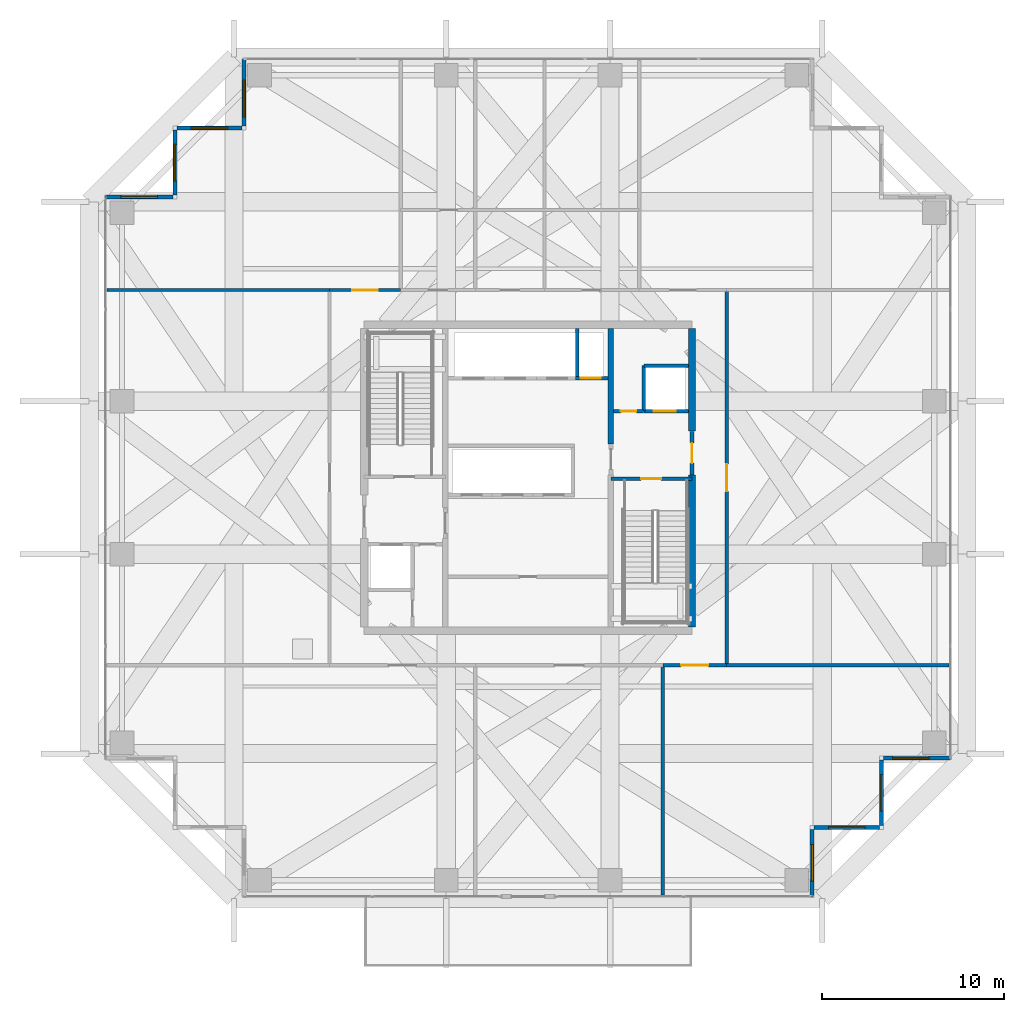
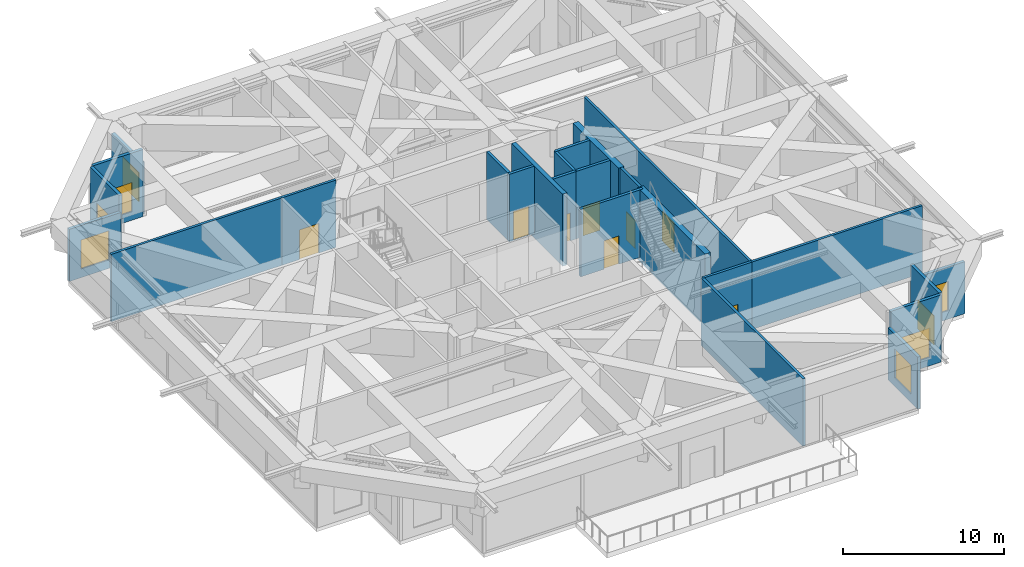
# One storey, part 32 of 38: 25 walls, 8 doors, 8 windows, 16 openings.
"""IFC4 building model written with IfcOpenShell, lengths in metres."""

from ifc_helpers import new_model, si_unit, direction, frame, frame_2d, origin, place, context, subcontext, project, spatial, rectangle, extrude, source, transform, mapped, material, layer, layer_set, type_object, element, fill, save


model = new_model("IFC4")

# Units and contexts
model_context = context("Model", 3, precision=1e-05, world=origin(), true_north=direction((0.0, 1.0)))
body_context = subcontext(model_context, "Body", "Model", "MODEL_VIEW")
ifc_project = project(units=[si_unit("LENGTHUNIT", "METRE"), si_unit("AREAUNIT", "SQUARE_METRE"), si_unit("VOLUMEUNIT", "CUBIC_METRE"), si_unit("PLANEANGLEUNIT", "RADIAN"), si_unit("MASSUNIT", "GRAM", prefix="KILO")], contexts=[model_context])

# Site, building, storey
site_placement = place(None, origin())
site = spatial("IfcSite", under=ifc_project, at=site_placement, CompositionType="ELEMENT")
building_placement = place(site_placement, origin())
building = spatial("IfcBuilding", under=site, at=building_placement, Name="Serunith Strait Residences", CompositionType="ELEMENT")
storey_placement = place(building_placement, frame((0.0, 0.0, 204.89990234375)))
storey = spatial("IfcBuildingStorey", under=building, at=storey_placement, Name="L51", CompositionType="ELEMENT", Elevation=204.89990234375)

# Wall, opening, window
ifc_material_1 = material(Name="Pale-Champagne Aluminium Insulated Panel", Category="aluminium")
ifc_layer_1 = layer(ifc_material_1, 0.219970703125, Name="Pale-Champagne Aluminium Insulated Panel")
ifc_layer_set_1 = layer_set([ifc_layer_1], Name="Pale-Champagne Aluminium Insulated Panel")
wall_type_1 = type_object("IfcWallType", Name="EW-ALUM-220", PredefinedType="ELEMENTEDWALL", material=ifc_layer_set_1)
wall_1_placement = place(storey_placement, frame((48.0, 2.199951171875, 0.0), z_axis=(0.0, 0.0, 1.0), x_axis=(0.0, 1.0, 0.0)))
wall_1 = element("IfcWall", 1, at=wall_1_placement, inside=storey, type_object=wall_type_1, Name="L51 Girih Serrated Corner Wall 02", PredefinedType="ELEMENTEDWALL", context=body_context, shape_type="SweptSolid", body=[
    extrude(rectangle(XDim=3.68994140625, YDim=0.219970703125, at=frame_2d((1.844970703125, 0.0))), origin(), (0.0, 0.0, 1.0), 3.945068359375),
])
opening_1_placement = place(wall_1_placement, frame((0.844970703125, 0.0, 0.64990234375)))
opening_1 = element("IfcOpeningElement", 2, at=opening_1_placement, cuts=wall_1, Name="Opening W-04", PredefinedType="OPENING", context=body_context, shape_type="SweptSolid", body=[
    extrude(rectangle(XDim=2.0, YDim=2.199951171875, at=frame_2d((1.0, 1.10009765625))), frame((0.0, 0.1201171875, 0.0), z_axis=(0.0, -1.0, 0.0), x_axis=(1.0, 0.0, 0.0)), (0.0, 0.0, 1.0), 0.239990234375),
])
ifc_material_2 = material(Name="Ceramic-Fritted Operable Aluminium Window Glass", Category="aluminium")
window_type = type_object("IfcWindowType", Name="WIN-C4", PartitioningType="TRIPLE_PANEL_VERTICAL", PredefinedType="WINDOW", material=ifc_material_2)
shared_shape_1 = source(origin(), body_context, "Body", "SweptSolid", [
    extrude(rectangle(XDim=2.0, YDim=2.199951171875, at=frame_2d((1.0, 1.10009765625))), frame((0.0, 0.030029296875, 0.0), z_axis=(0.0, -1.0, 0.0), x_axis=(1.0, 0.0, 0.0)), (0.0, 0.0, 1.0), 0.06005859375),
])
window_1_placement = place(opening_1_placement, origin())
window_1 = element("IfcWindow", 3, at=window_1_placement, inside=storey, type_object=window_type, Name="L51 Corner Operable Fritted Window 02", OverallHeight=2.199951171875, OverallWidth=2.0, PartitioningType="SINGLE_PANEL", PredefinedType="WINDOW", context=body_context, shape_type="MappedRepresentation", body=[
    mapped(shared_shape_1, transform((0.0, 0.0, 0.0), scale=1.0)),
])
fill(opening_1, window_1)

wall_2_placement = place(storey_placement, frame((48.110107421875, 6.0, 0.0), z_axis=(0.0, 0.0, 1.0), x_axis=(1.0, 0.0, 0.0)))
wall_2 = element("IfcWall", 4, at=wall_2_placement, inside=storey, type_object=wall_type_1, Name="L51 Girih Serrated Corner Wall 03", PredefinedType="ELEMENTEDWALL", context=body_context, shape_type="SweptSolid", body=[
    extrude(rectangle(XDim=3.579833984375, YDim=0.219970703125, at=frame_2d((1.7900390625, 0.0))), origin(), (0.0, 0.0, 1.0), 5.09521484375),
])
opening_2_placement = place(wall_2_placement, frame((0.7900390625, 0.0, 0.64990234375)))
opening_2 = element("IfcOpeningElement", 5, at=opening_2_placement, cuts=wall_2, Name="Opening W-04", PredefinedType="OPENING", context=body_context, shape_type="SweptSolid", body=[
    extrude(rectangle(XDim=2.0, YDim=2.199951171875, at=frame_2d((1.0, 1.10009765625))), frame((0.0, 0.1201171875, 0.0), z_axis=(0.0, -1.0, 0.0), x_axis=(1.0, 0.0, 0.0)), (0.0, 0.0, 1.0), 0.239990234375),
])
window_2_placement = place(opening_2_placement, origin())
window_2 = element("IfcWindow", 6, at=window_2_placement, inside=storey, type_object=window_type, Name="L51 Corner Operable Fritted Window 03", OverallHeight=2.199951171875, OverallWidth=2.0, PartitioningType="SINGLE_PANEL", PredefinedType="WINDOW", context=body_context, shape_type="MappedRepresentation", body=[
    mapped(shared_shape_1, transform((0.0, 0.0, 0.0), scale=1.0)),
])
fill(opening_2, window_2)

wall_3_placement = place(storey_placement, frame((51.800048828125, 6.110107421875, 0.0), z_axis=(0.0, 0.0, 1.0), x_axis=(0.0, 1.0, 0.0)))
wall_3 = element("IfcWall", 7, at=wall_3_placement, inside=storey, type_object=wall_type_1, Name="L51 Girih Serrated Corner Wall 04", PredefinedType="ELEMENTEDWALL", context=body_context, shape_type="SweptSolid", body=[
    extrude(rectangle(XDim=3.579833984375, YDim=0.219970703125, at=frame_2d((1.7900390625, 0.0))), origin(), (0.0, 0.0, 1.0), 5.09521484375),
])
opening_3_placement = place(wall_3_placement, frame((0.7900390625, 0.0, 0.64990234375)))
opening_3 = element("IfcOpeningElement", 8, at=opening_3_placement, cuts=wall_3, Name="Opening W-04", PredefinedType="OPENING", context=body_context, shape_type="SweptSolid", body=[
    extrude(rectangle(XDim=2.0, YDim=2.199951171875, at=frame_2d((1.0, 1.10009765625))), frame((0.0, 0.1201171875, 0.0), z_axis=(0.0, -1.0, 0.0), x_axis=(1.0, 0.0, 0.0)), (0.0, 0.0, 1.0), 0.239990234375),
])
window_3_placement = place(opening_3_placement, origin())
window_3 = element("IfcWindow", 9, at=window_3_placement, inside=storey, type_object=window_type, Name="L51 Corner Operable Fritted Window 04", OverallHeight=2.199951171875, OverallWidth=2.0, PartitioningType="SINGLE_PANEL", PredefinedType="WINDOW", context=body_context, shape_type="MappedRepresentation", body=[
    mapped(shared_shape_1, transform((0.0, 0.0, 0.0), scale=1.0)),
])
fill(opening_3, window_3)

wall_4_placement = place(storey_placement, frame((51.909912109375, 9.800048828125, 0.0), z_axis=(0.0, 0.0, 1.0), x_axis=(1.0, 0.0, 0.0)))
wall_4 = element("IfcWall", 10, at=wall_4_placement, inside=storey, type_object=wall_type_1, Name="L51 Girih Serrated Corner Wall 05", PredefinedType="ELEMENTEDWALL", context=body_context, shape_type="SweptSolid", body=[
    extrude(rectangle(XDim=3.690185546875, YDim=0.219970703125, at=frame_2d((1.84521484375, 0.0))), origin(), (0.0, 0.0, 1.0), 3.945068359375),
])
opening_4_placement = place(wall_4_placement, frame((0.507080078125, 0.0, 0.64990234375)))
opening_4 = element("IfcOpeningElement", 11, at=opening_4_placement, cuts=wall_4, Name="Opening W-04", PredefinedType="OPENING", context=body_context, shape_type="SweptSolid", body=[
    extrude(rectangle(XDim=2.0, YDim=2.199951171875, at=frame_2d((1.0, 1.10009765625))), frame((0.0, 0.1201171875, 0.0), z_axis=(0.0, -1.0, 0.0), x_axis=(1.0, 0.0, 0.0)), (0.0, 0.0, 1.0), 0.239990234375),
])
window_4_placement = place(opening_4_placement, origin())
window_4 = element("IfcWindow", 12, at=window_4_placement, inside=storey, type_object=window_type, Name="L51 Corner Operable Fritted Window 05", OverallHeight=2.199951171875, OverallWidth=2.0, PartitioningType="SINGLE_PANEL", PredefinedType="WINDOW", context=body_context, shape_type="MappedRepresentation", body=[
    mapped(shared_shape_1, transform((0.0, 0.0, 0.0), scale=1.0)),
])
fill(opening_4, window_4)

wall_5_placement = place(storey_placement, frame((16.800048828125, 48.199951171875, 0.0), z_axis=(0.0, 0.0, 1.0), x_axis=(0.0, -1.0, 0.0)))
wall_5 = element("IfcWall", 13, at=wall_5_placement, inside=storey, type_object=wall_type_1, Name="L51 Girih Serrated Corner Wall 12", PredefinedType="ELEMENTEDWALL", context=body_context, shape_type="SweptSolid", body=[
    extrude(rectangle(XDim=3.68994140625, YDim=0.219970703125, at=frame_2d((1.844970703125, 0.0))), origin(), (0.0, 0.0, 1.0), 3.945068359375),
])
opening_5_placement = place(wall_5_placement, frame((1.18310546875, 0.0, 0.64990234375)))
opening_5 = element("IfcOpeningElement", 14, at=opening_5_placement, cuts=wall_5, Name="Opening W-04", PredefinedType="OPENING", context=body_context, shape_type="SweptSolid", body=[
    extrude(rectangle(XDim=2.0, YDim=2.199951171875, at=frame_2d((1.0, 1.10009765625))), frame((0.0, 0.1201171875, 0.0), z_axis=(0.0, -1.0, 0.0), x_axis=(1.0, 0.0, 0.0)), (0.0, 0.0, 1.0), 0.239990234375),
])
window_5_placement = place(opening_5_placement, origin())
window_5 = element("IfcWindow", 15, at=window_5_placement, inside=storey, type_object=window_type, Name="L51 Corner Operable Fritted Window 12", OverallHeight=2.199951171875, OverallWidth=2.0, PartitioningType="SINGLE_PANEL", PredefinedType="WINDOW", context=body_context, shape_type="MappedRepresentation", body=[
    mapped(shared_shape_1, transform((0.0, 0.0, 0.0), scale=1.0)),
])
fill(opening_5, window_5)

wall_6_placement = place(storey_placement, frame((16.68994140625, 44.39990234375, 0.0), z_axis=(0.0, 0.0, 1.0), x_axis=(-1.0, 0.0, 0.0)))
wall_6 = element("IfcWall", 16, at=wall_6_placement, inside=storey, type_object=wall_type_1, Name="L51 Girih Serrated Corner Wall 13", PredefinedType="ELEMENTEDWALL", context=body_context, shape_type="SweptSolid", body=[
    extrude(rectangle(XDim=3.579833984375, YDim=0.219970703125, at=frame_2d((1.7900390625, 0.0))), origin(), (0.0, 0.0, 1.0), 5.09521484375),
])
opening_6_placement = place(wall_6_placement, frame((0.7900390625, 0.0, 0.64990234375)))
opening_6 = element("IfcOpeningElement", 17, at=opening_6_placement, cuts=wall_6, Name="Opening W-04", PredefinedType="OPENING", context=body_context, shape_type="SweptSolid", body=[
    extrude(rectangle(XDim=2.0, YDim=2.199951171875, at=frame_2d((1.0, 1.10009765625))), frame((0.0, 0.1201171875, 0.0), z_axis=(0.0, -1.0, 0.0), x_axis=(1.0, 0.0, 0.0)), (0.0, 0.0, 1.0), 0.239990234375),
])
window_6_placement = place(opening_6_placement, origin())
window_6 = element("IfcWindow", 18, at=window_6_placement, inside=storey, type_object=window_type, Name="L51 Corner Operable Fritted Window 13", OverallHeight=2.199951171875, OverallWidth=2.0, PartitioningType="SINGLE_PANEL", PredefinedType="WINDOW", context=body_context, shape_type="MappedRepresentation", body=[
    mapped(shared_shape_1, transform((0.0, 0.0, 0.0), scale=1.0)),
])
fill(opening_6, window_6)

wall_7_placement = place(storey_placement, frame((13.0, 44.2900390625, 0.0), z_axis=(0.0, 0.0, 1.0), x_axis=(0.0, -1.0, 0.0)))
wall_7 = element("IfcWall", 19, at=wall_7_placement, inside=storey, type_object=wall_type_1, Name="L51 Girih Serrated Corner Wall 14", PredefinedType="ELEMENTEDWALL", context=body_context, shape_type="SweptSolid", body=[
    extrude(rectangle(XDim=3.580078125, YDim=0.219970703125, at=frame_2d((1.7900390625, 0.0))), origin(), (0.0, 0.0, 1.0), 5.09521484375),
])
opening_7_placement = place(wall_7_placement, frame((0.7900390625, 0.0, 0.64990234375)))
opening_7 = element("IfcOpeningElement", 20, at=opening_7_placement, cuts=wall_7, Name="Opening W-04", PredefinedType="OPENING", context=body_context, shape_type="SweptSolid", body=[
    extrude(rectangle(XDim=2.0, YDim=2.199951171875, at=frame_2d((1.0, 1.10009765625))), frame((0.0, 0.1201171875, 0.0), z_axis=(0.0, -1.0, 0.0), x_axis=(1.0, 0.0, 0.0)), (0.0, 0.0, 1.0), 0.239990234375),
])
window_7_placement = place(opening_7_placement, origin())
window_7 = element("IfcWindow", 21, at=window_7_placement, inside=storey, type_object=window_type, Name="L51 Corner Operable Fritted Window 14", OverallHeight=2.199951171875, OverallWidth=2.0, PartitioningType="SINGLE_PANEL", PredefinedType="WINDOW", context=body_context, shape_type="MappedRepresentation", body=[
    mapped(shared_shape_1, transform((0.0, 0.0, 0.0), scale=1.0)),
])
fill(opening_7, window_7)

wall_8_placement = place(storey_placement, frame((12.889892578125, 40.60009765625, 0.0), z_axis=(0.0, 0.0, 1.0), x_axis=(-1.0, 0.0, 0.0)))
wall_8 = element("IfcWall", 22, at=wall_8_placement, inside=storey, type_object=wall_type_1, Name="L51 Girih Serrated Corner Wall 15", PredefinedType="ELEMENTEDWALL", context=body_context, shape_type="SweptSolid", body=[
    extrude(rectangle(XDim=3.68994140625, YDim=0.219970703125, at=frame_2d((1.844970703125, 0.0))), origin(), (0.0, 0.0, 1.0), 3.945068359375),
])
opening_8_placement = place(wall_8_placement, frame((0.844970703125, 0.0, 0.64990234375)))
opening_8 = element("IfcOpeningElement", 23, at=opening_8_placement, cuts=wall_8, Name="Opening W-04", PredefinedType="OPENING", context=body_context, shape_type="SweptSolid", body=[
    extrude(rectangle(XDim=2.0, YDim=2.199951171875, at=frame_2d((1.0, 1.10009765625))), frame((0.0, 0.1201171875, 0.0), z_axis=(0.0, -1.0, 0.0), x_axis=(1.0, 0.0, 0.0)), (0.0, 0.0, 1.0), 0.239990234375),
])
window_8_placement = place(opening_8_placement, origin())
window_8 = element("IfcWindow", 24, at=window_8_placement, inside=storey, type_object=window_type, Name="L51 Corner Operable Fritted Window 15", OverallHeight=2.199951171875, OverallWidth=2.0, PartitioningType="SINGLE_PANEL", PredefinedType="WINDOW", context=body_context, shape_type="MappedRepresentation", body=[
    mapped(shared_shape_1, transform((0.0, 0.0, 0.0), scale=1.0)),
])
fill(opening_8, window_8)

# Walls
ifc_material_3 = material(Name="Fire-rated acoustic gypsum partition")
ifc_layer_2 = layer(ifc_material_3, 0.179931640625, Name="Fire-rated acoustic gypsum partition")
ifc_layer_set_2 = layer_set([ifc_layer_2], Name="Fire-rated acoustic gypsum partition")
wall_type_2 = type_object("IfcWallType", Name="IW-CORR-180", PredefinedType="PARTITIONING", material=ifc_layer_set_2)
for number, where, z_axis, x_axis, name in (
    (25, (43.300048828125, 14.89990234375, 0.0), (0.0, 0.0, 1.0), (1.0, 0.0, 0.0), "L51 Partition Wall 015"),
    (26, (9.281982421875, 35.5, 0.0), (0.0, 0.0, 1.0), (1.0, 0.0, 0.0), "L51 Partition Wall 016"),
):
    element("IfcWall", number, at=place(storey_placement, frame(where, z_axis=z_axis, x_axis=x_axis)), inside=storey, type_object=wall_type_2, Name=name, PredefinedType="PARTITIONING", context=body_context, shape_type="SweptSolid", body=[
        extrude(rectangle(XDim=12.218017578125, YDim=0.179931640625, at=frame_2d((6.10888671875, 0.0))), origin(), (0.0, 0.0, 1.0), 5.110107421875),
    ])

# Wall, opening, door
wall_9_placement = place(storey_placement, frame((43.300048828125, 14.89990234375, 0.0), z_axis=(0.0, 0.0, 1.0), x_axis=(0.0, 1.0, 0.0)))
wall_9 = element("IfcWall", 27, at=wall_9_placement, inside=storey, type_object=wall_type_2, Name="L51 Partition Wall 019", PredefinedType="PARTITIONING", context=body_context, shape_type="SweptSolid", body=[
    extrude(rectangle(XDim=20.60009765625, YDim=0.179931640625, at=frame_2d((10.300048828125, 0.0))), origin(), (0.0, 0.0, 1.0), 5.110107421875),
])
opening_9_placement = place(wall_9_placement, frame((9.550048828125, 0.0, 0.0)))
opening_9 = element("IfcOpeningElement", 28, at=opening_9_placement, cuts=wall_9, Name="Opening D-POD1500", PredefinedType="OPENING", context=body_context, shape_type="SweptSolid", body=[
    extrude(rectangle(XDim=1.5, YDim=2.25, at=frame_2d((0.75, 1.125))), frame((0.0, 0.10009765625, 0.0), z_axis=(0.0, -1.0, 0.0), x_axis=(1.0, 0.0, 0.0)), (0.0, 0.0, 1.0), 0.199951171875),
])
ifc_material_4 = material(Name="Pale-champagne aluminium glazed double door", Category="aluminium")
door_type_1 = type_object("IfcDoorType", Name="ID-POD-1500", OperationType="DOUBLE_DOOR_SINGLE_SWING", PredefinedType="DOOR", material=ifc_material_4)
shared_shape_2 = source(origin(), body_context, "Body", "SweptSolid", [
    extrude(rectangle(XDim=1.5, YDim=2.25, at=frame_2d((0.75, 1.125))), frame((0.0, 0.02490234375, 0.0), z_axis=(0.0, -1.0, 0.0), x_axis=(1.0, 0.0, 0.0)), (0.0, 0.0, 1.0), 0.050048828125),
])
door_1_placement = place(opening_9_placement, origin())
door_1 = element("IfcDoor", 29, at=door_1_placement, inside=storey, type_object=door_type_1, Name="L51 East Wing Suite Door", OperationType="DOUBLE_DOOR_SINGLE_SWING", OverallHeight=2.25, OverallWidth=1.5, PredefinedType="DOOR", context=body_context, shape_type="MappedRepresentation", body=[
    mapped(shared_shape_2, transform((0.0, 0.0, 0.0), scale=1.0)),
])
fill(opening_9, door_1)

# Wall
wall_10_placement = place(storey_placement, frame((39.800048828125, 2.281982421875, 0.0), z_axis=(0.0, 0.0, 1.0), x_axis=(0.0, 1.0, 0.0)))
element("IfcWall", 30, at=wall_10_placement, inside=storey, type_object=wall_type_2, Name="L51 Partition Wall 021", PredefinedType="PARTITIONING", context=body_context, shape_type="SweptSolid", body=[
    extrude(rectangle(XDim=12.617919921875, YDim=0.179931640625, at=frame_2d((6.30908203125, 0.0))), origin(), (0.0, 0.0, 1.0), 5.110107421875),
])

# Wall, opening, door
wall_11_placement = place(storey_placement, frame((39.802001953125, 14.89990234375, 0.0), z_axis=(0.0, 0.0, 1.0), x_axis=(1.0, 0.0, 0.0)))
wall_11 = element("IfcWall", 31, at=wall_11_placement, inside=storey, type_object=wall_type_2, Name="L51 Partition Wall 028", PredefinedType="PARTITIONING", context=body_context, shape_type="SweptSolid", body=[
    extrude(rectangle(XDim=3.49609375, YDim=0.179931640625, at=frame_2d((1.748046875, 0.0))), origin(), (0.0, 0.0, 1.0), 5.110107421875),
])
opening_10_placement = place(wall_11_placement, frame((0.998046875, 0.0, 0.0)))
opening_10 = element("IfcOpeningElement", 32, at=opening_10_placement, cuts=wall_11, Name="Opening D-POD1500", PredefinedType="OPENING", context=body_context, shape_type="SweptSolid", body=[
    extrude(rectangle(XDim=1.5, YDim=2.25, at=frame_2d((0.75, 1.125))), frame((0.0, 0.10009765625, 0.0), z_axis=(0.0, -1.0, 0.0), x_axis=(1.0, 0.0, 0.0)), (0.0, 0.0, 1.0), 0.199951171875),
])
door_2_placement = place(opening_10_placement, origin())
door_2 = element("IfcDoor", 33, at=door_2_placement, inside=storey, type_object=door_type_1, Name="L51 South-East Suite Door", OperationType="DOUBLE_DOOR_SINGLE_SWING", OverallHeight=2.25, OverallWidth=1.5, PredefinedType="DOOR", context=body_context, shape_type="MappedRepresentation", body=[
    mapped(shared_shape_2, transform((0.0, 0.0, 0.0), scale=1.0)),
])
fill(opening_10, door_2)

wall_12_placement = place(storey_placement, frame((21.501953125, 35.5, 0.0), z_axis=(0.0, 0.0, 1.0), x_axis=(1.0, 0.0, 0.0)))
wall_12 = element("IfcWall", 34, at=wall_12_placement, inside=storey, type_object=wall_type_2, Name="L51 Partition Wall 029", PredefinedType="PARTITIONING", context=body_context, shape_type="SweptSolid", body=[
    extrude(rectangle(XDim=3.89794921875, YDim=0.179931640625, at=frame_2d((1.948974609375, 0.0))), origin(), (0.0, 0.0, 1.0), 5.110107421875),
])
opening_11_placement = place(wall_12_placement, frame((1.2490234375, 0.0, 0.0)))
opening_11 = element("IfcOpeningElement", 35, at=opening_11_placement, cuts=wall_12, Name="Opening D-POD1400", PredefinedType="OPENING", context=body_context, shape_type="SweptSolid", body=[
    extrude(rectangle(XDim=1.39990234375, YDim=2.25, at=frame_2d((0.699951171875, 1.125))), frame((0.0, 0.10009765625, 0.0), z_axis=(0.0, -1.0, 0.0), x_axis=(1.0, 0.0, 0.0)), (0.0, 0.0, 1.0), 0.199951171875),
])
ifc_material_5 = material(Name="Pale-champagne aluminium glazed suite door", Category="aluminium")
door_type_2 = type_object("IfcDoorType", Name="ID-POD-1400", OperationType="DOUBLE_DOOR_SINGLE_SWING", PredefinedType="DOOR", material=ifc_material_5)
shared_shape_3 = source(origin(), body_context, "Body", "SweptSolid", [
    extrude(rectangle(XDim=1.39990234375, YDim=2.25, at=frame_2d((0.699951171875, 1.125))), frame((0.0, 0.02490234375, 0.0), z_axis=(0.0, -1.0, 0.0), x_axis=(1.0, 0.0, 0.0)), (0.0, 0.0, 1.0), 0.050048828125),
])
door_3_placement = place(opening_11_placement, origin())
door_3 = element("IfcDoor", 36, at=door_3_placement, inside=storey, type_object=door_type_2, Name="L51 North-West Room Door", OperationType="DOUBLE_DOOR_SINGLE_SWING", OverallHeight=2.25, OverallWidth=1.39990234375, PredefinedType="DOOR", context=body_context, shape_type="MappedRepresentation", body=[
    mapped(shared_shape_3, transform((0.0, 0.0, 0.0), scale=1.0)),
])
fill(opening_11, door_3)

ifc_material_6 = material(Name="Autoclaved aerated concrete blockwork", Category="masonry")
ifc_layer_3 = layer(ifc_material_6, 0.199951171875, Name="Autoclaved aerated concrete blockwork")
ifc_layer_set_3 = layer_set([ifc_layer_3], Name="Autoclaved aerated concrete blockwork")
wall_type_3 = type_object("IfcWallType", Name="IW-SHAFT-200", PredefinedType="STANDARD", material=ifc_layer_set_3)
wall_13_placement = place(storey_placement, frame((36.949951171875, 25.14990234375, 0.0), z_axis=(0.0, 0.0, 1.0), x_axis=(1.0, 0.0, 0.0)))
wall_13 = element("IfcWall", 37, at=wall_13_placement, inside=storey, type_object=wall_type_3, Name="L51 ST-2 North Shaft Wall", PredefinedType="STANDARD", context=body_context, shape_type="SweptSolid", body=[
    extrude(rectangle(XDim=4.449951171875, YDim=0.199951171875, at=frame_2d((2.22509765625, 0.0))), origin(), (0.0, 0.0, 1.0), 5.110107421875),
])
opening_12_placement = place(wall_13_placement, frame((1.64990234375, 0.0, 0.0)))
opening_12 = element("IfcOpeningElement", 38, at=opening_12_placement, cuts=wall_13, Name="Opening FD-1100", PredefinedType="OPENING", context=body_context, shape_type="SweptSolid", body=[
    extrude(rectangle(XDim=1.10009765625, YDim=2.14990234375, at=frame_2d((0.550048828125, 1.074951171875))), frame((0.0, 0.10986328125, 0.0), z_axis=(0.0, -1.0, 0.0), x_axis=(1.0, 0.0, 0.0)), (0.0, 0.0, 1.0), 0.219970703125),
])
ifc_material_7 = material(Name="Galvanised steel fire door leaf", Category="steel")
door_type_3 = type_object("IfcDoorType", Name="FD-STAIR-1100", OperationType="NOTDEFINED", PredefinedType="DOOR", material=ifc_material_7)
shared_shape_4 = source(origin(), body_context, "Body", "SweptSolid", [
    extrude(rectangle(XDim=1.10009765625, YDim=2.14990234375, at=frame_2d((0.550048828125, 1.074951171875))), frame((0.0, 0.02490234375, 0.0), z_axis=(0.0, -1.0, 0.0), x_axis=(1.0, 0.0, 0.0)), (0.0, 0.0, 1.0), 0.050048828125),
])
door_4_placement = place(opening_12_placement, origin())
door_4 = element("IfcDoor", 39, at=door_4_placement, inside=storey, type_object=door_type_3, Name="L51 ST-2 Escape Stair Door", OperationType="SINGLE_SWING_RIGHT", OverallHeight=2.14990234375, OverallWidth=1.10009765625, PredefinedType="DOOR", context=body_context, shape_type="MappedRepresentation", body=[
    mapped(shared_shape_4, transform((0.0, 0.0, 0.0), scale=1.0)),
])
fill(opening_12, door_4)

wall_14_placement = place(storey_placement, frame((38.75, 28.85009765625, 0.0), z_axis=(0.0, 0.0, 1.0), x_axis=(1.0, 0.0, 0.0)))
wall_14 = element("IfcWall", 40, at=wall_14_placement, inside=storey, type_object=wall_type_3, Name="L51 FL-2 South Shaft Wall", PredefinedType="STANDARD", context=body_context, shape_type="SweptSolid", body=[
    extrude(rectangle(XDim=2.449951171875, YDim=0.199951171875, at=frame_2d((1.22509765625, 0.0))), origin(), (0.0, 0.0, 1.0), 5.110107421875),
])
opening_13_placement = place(wall_14_placement, frame((0.550048828125, 0.0, 0.0)))
opening_13 = element("IfcOpeningElement", 41, at=opening_13_placement, cuts=wall_14, Name="Opening LD-FF1200", PredefinedType="OPENING", context=body_context, shape_type="SweptSolid", body=[
    extrude(rectangle(XDim=1.199951171875, YDim=2.199951171875, at=frame_2d((0.60009765625, 1.10009765625))), frame((0.0, 0.10986328125, 0.0), z_axis=(0.0, -1.0, 0.0), x_axis=(1.0, 0.0, 0.0)), (0.0, 0.0, 1.0), 0.219970703125),
])
ifc_material_8 = material(Name="Brushed stainless steel landing door", Category="steel")
door_type_4 = type_object("IfcDoorType", Name="LD-FF-1200", OperationType="DOUBLE_DOOR_SLIDING", PredefinedType="DOOR", material=ifc_material_8)
shared_shape_5 = source(origin(), body_context, "Body", "SweptSolid", [
    extrude(rectangle(XDim=1.199951171875, YDim=2.199951171875, at=frame_2d((0.60009765625, 1.10009765625))), frame((0.0, 0.02490234375, 0.0), z_axis=(0.0, -1.0, 0.0), x_axis=(1.0, 0.0, 0.0)), (0.0, 0.0, 1.0), 0.050048828125),
])
door_5_placement = place(opening_13_placement, origin())
door_5 = element("IfcDoor", 42, at=door_5_placement, inside=storey, type_object=door_type_4, Name="L51 FL-2 Landing Door", OperationType="DOUBLE_DOOR_SLIDING", OverallHeight=2.199951171875, OverallWidth=1.199951171875, PredefinedType="DOOR", context=body_context, shape_type="MappedRepresentation", body=[
    mapped(shared_shape_5, transform((0.0, 0.0, 0.0), scale=1.0)),
])
fill(opening_13, door_5)

wall_15_placement = place(storey_placement, frame((35.0, 30.64990234375, 0.0), z_axis=(0.0, 0.0, 1.0), x_axis=(1.0, 0.0, 0.0)))
wall_15 = element("IfcWall", 43, at=wall_15_placement, inside=storey, type_object=wall_type_3, Name="L51 SL-1 South Shaft Wall", PredefinedType="STANDARD", context=body_context, shape_type="SweptSolid", body=[
    extrude(rectangle(XDim=1.800048828125, YDim=0.199951171875, at=frame_2d((0.89990234375, 0.0))), origin(), (0.0, 0.0, 1.0), 5.110107421875),
])
opening_14_placement = place(wall_15_placement, frame((0.300048828125, 0.0, 0.0)))
opening_14 = element("IfcOpeningElement", 44, at=opening_14_placement, cuts=wall_15, Name="Opening LD-1100", PredefinedType="OPENING", context=body_context, shape_type="SweptSolid", body=[
    extrude(rectangle(XDim=1.10009765625, YDim=2.199951171875, at=frame_2d((0.550048828125, 1.10009765625))), frame((0.0, 0.10986328125, 0.0), z_axis=(0.0, -1.0, 0.0), x_axis=(1.0, 0.0, 0.0)), (0.0, 0.0, 1.0), 0.219970703125),
])
ifc_material_9 = material(Name="Pale-champagne stainless landing door")
door_type_5 = type_object("IfcDoorType", Name="LD-LIFT-1100", OperationType="DOUBLE_DOOR_SLIDING", PredefinedType="DOOR", material=ifc_material_9)
shared_shape_6 = source(origin(), body_context, "Body", "SweptSolid", [
    extrude(rectangle(XDim=1.10009765625, YDim=2.199951171875, at=frame_2d((0.550048828125, 1.10009765625))), frame((0.0, 0.02490234375, 0.0), z_axis=(0.0, -1.0, 0.0), x_axis=(1.0, 0.0, 0.0)), (0.0, 0.0, 1.0), 0.050048828125),
])
door_6_placement = place(opening_14_placement, origin())
door_6 = element("IfcDoor", 45, at=door_6_placement, inside=storey, type_object=door_type_5, Name="L51 SL-1 Landing Door", OperationType="DOUBLE_DOOR_SLIDING", OverallHeight=2.199951171875, OverallWidth=1.10009765625, PredefinedType="DOOR", context=body_context, shape_type="MappedRepresentation", body=[
    mapped(shared_shape_6, transform((0.0, 0.0, 0.0), scale=1.0)),
])
fill(opening_14, door_6)

# Walls
wall_16_placement = place(storey_placement, frame((35.10009765625, 30.75, 0.0), z_axis=(0.0, 0.0, 1.0), x_axis=(0.0, 1.0, 0.0)))
element("IfcWall", 46, at=wall_16_placement, inside=storey, type_object=wall_type_3, Name="L51 SL-1 West Shaft Wall", PredefinedType="STANDARD", context=body_context, shape_type="SweptSolid", body=[
    extrude(rectangle(XDim=2.64990234375, YDim=0.199951171875, at=frame_2d((1.324951171875, 0.0))), origin(), (0.0, 0.0, 1.0), 5.110107421875),
])
wall_17_placement = place(storey_placement, frame((38.75, 28.85009765625, 0.0), z_axis=(0.0, 0.0, 1.0), x_axis=(0.0, 1.0, 0.0)))
element("IfcWall", 47, at=wall_17_placement, inside=storey, type_object=wall_type_3, Name="L51 Partition Wall 004", PredefinedType="STANDARD", context=body_context, shape_type="SweptSolid", body=[
    extrude(rectangle(XDim=2.5, YDim=0.199951171875, at=frame_2d((1.25, 0.0))), origin(), (0.0, 0.0, 1.0), 5.110107421875),
])
wall_18_placement = place(storey_placement, frame((38.75, 31.35009765625, 0.0), z_axis=(0.0, 0.0, 1.0), x_axis=(1.0, 0.0, 0.0)))
element("IfcWall", 48, at=wall_18_placement, inside=storey, type_object=wall_type_3, Name="L51 Partition Wall 005", PredefinedType="STANDARD", context=body_context, shape_type="SweptSolid", body=[
    extrude(rectangle(XDim=2.449951171875, YDim=0.199951171875, at=frame_2d((1.22509765625, 0.0))), origin(), (0.0, 0.0, 1.0), 5.110107421875),
])

# Wall, opening, door
wall_19_placement = place(storey_placement, frame((37.10009765625, 28.85009765625, 0.0), z_axis=(0.0, 0.0, 1.0), x_axis=(1.0, 0.0, 0.0)))
wall_19 = element("IfcWall", 49, at=wall_19_placement, inside=storey, type_object=wall_type_3, Name="L51 Partition Wall 006", PredefinedType="STANDARD", context=body_context, shape_type="SweptSolid", body=[
    extrude(rectangle(XDim=1.64794921875, YDim=0.199951171875, at=frame_2d((0.823974609375, 0.0))), origin(), (0.0, 0.0, 1.0), 5.110107421875),
])
opening_15_placement = place(wall_19_placement, frame((0.39892578125, 0.0, 0.0)))
opening_15 = element("IfcOpeningElement", 50, at=opening_15_placement, cuts=wall_19, Name="Opening FD-850", PredefinedType="OPENING", context=body_context, shape_type="SweptSolid", body=[
    extrude(rectangle(XDim=0.85009765625, YDim=2.10009765625, at=frame_2d((0.425048828125, 1.050048828125))), frame((0.0, 0.10986328125, 0.0), z_axis=(0.0, -1.0, 0.0), x_axis=(1.0, 0.0, 0.0)), (0.0, 0.0, 1.0), 0.219970703125),
])
ifc_material_10 = material(Name="Powder-coated steel service closet door", Category="steel")
door_type_6 = type_object("IfcDoorType", Name="FD-BOH-850", OperationType="NOTDEFINED", PredefinedType="DOOR", material=ifc_material_10)
shared_shape_7 = source(origin(), body_context, "Body", "SweptSolid", [
    extrude(rectangle(XDim=0.85009765625, YDim=2.10009765625, at=frame_2d((0.425048828125, 1.050048828125))), frame((0.0, 0.02490234375, 0.0), z_axis=(0.0, -1.0, 0.0), x_axis=(1.0, 0.0, 0.0)), (0.0, 0.0, 1.0), 0.050048828125),
])
door_7_placement = place(opening_15_placement, origin())
door_7 = element("IfcDoor", 51, at=door_7_placement, inside=storey, type_object=door_type_6, Name="L51 North-East Core Service Door", OperationType="SINGLE_SWING_RIGHT", OverallHeight=2.10009765625, OverallWidth=0.85009765625, PredefinedType="DOOR", context=body_context, shape_type="MappedRepresentation", body=[
    mapped(shared_shape_7, transform((0.0, 0.0, 0.0), scale=1.0)),
])
fill(opening_15, door_7)

wall_20_placement = place(storey_placement, frame((41.39990234375, 25.35205078125, 0.0), z_axis=(0.0, 0.0, 1.0), x_axis=(0.0, 1.0, 0.0)))
wall_20 = element("IfcWall", 52, at=wall_20_placement, inside=storey, type_object=wall_type_3, Name="L51 Partition Wall 008", PredefinedType="STANDARD", context=body_context, shape_type="SweptSolid", body=[
    extrude(rectangle(XDim=2.39599609375, YDim=0.199951171875, at=frame_2d((1.197998046875, 0.0))), origin(), (0.0, 0.0, 1.0), 5.110107421875),
])
opening_16_placement = place(wall_20_placement, frame((0.64794921875, 0.0, 0.0)))
opening_16 = element("IfcOpeningElement", 53, at=opening_16_placement, cuts=wall_20, Name="Opening FD-FFL", PredefinedType="OPENING", context=body_context, shape_type="SweptSolid", body=[
    extrude(rectangle(XDim=1.10009765625, YDim=2.14990234375, at=frame_2d((0.550048828125, 1.074951171875))), frame((0.0, 0.10986328125, 0.0), z_axis=(0.0, -1.0, 0.0), x_axis=(1.0, 0.0, 0.0)), (0.0, 0.0, 1.0), 0.219970703125),
])
ifc_material_11 = material(Name="Glazed steel smoke-lobby fire door", Category="steel")
door_type_7 = type_object("IfcDoorType", Name="FD-FFL-1100", OperationType="NOTDEFINED", PredefinedType="DOOR", material=ifc_material_11)
door_8_placement = place(opening_16_placement, origin())
door_8 = element("IfcDoor", 54, at=door_8_placement, inside=storey, type_object=door_type_7, Name="L51 FFL-2 Corridor Fire Door", OperationType="SINGLE_SWING_RIGHT", OverallHeight=2.14990234375, OverallWidth=1.10009765625, PredefinedType="DOOR", context=body_context, shape_type="MappedRepresentation", body=[
    mapped(shared_shape_4, transform((0.0, 0.0, 0.0), scale=1.0)),
])
fill(opening_16, door_8)

# Walls
ifc_material_12 = material(Name="Concrete C70/85", Category="concrete")
ifc_layer_4 = layer(ifc_material_12, 0.300048828125, Name="Concrete C70/85")
ifc_layer_set_4 = layer_set([ifc_layer_4], Name="Concrete C70/85")
wall_type_4 = type_object("IfcWallType", Name="SW-300-C70", PredefinedType="SHEAR", material=ifc_layer_set_4)
wall_21_placement = place(storey_placement, frame((36.949951171875, 27.050048828125, -0.35986328125), z_axis=(0.0, 0.0, 1.0), x_axis=(0.0, 1.0, 0.0)))
element("IfcWall", 55, at=wall_21_placement, inside=storey, type_object=wall_type_4, Name="L51 Core Internal East Web North Pier", PredefinedType="SHEAR", context=body_context, shape_type="SweptSolid", body=[
    extrude(rectangle(XDim=6.349853515625, YDim=0.300048828125, at=frame_2d((3.1748046875, 0.0))), origin(), (0.0, 0.0, 1.0), 5.468017578125),
])
ifc_layer_5 = layer(ifc_material_12, 0.39990234375, Name="Concrete C70/85")
ifc_layer_set_5 = layer_set([ifc_layer_5], Name="Concrete C70/85")
wall_type_5 = type_object("IfcWallType", Name="SW-400-C70", PredefinedType="SHEAR", material=ifc_layer_set_5)
wall_22_placement = place(storey_placement, frame((41.39990234375, 17.0, -0.35986328125), z_axis=(0.0, 0.0, 1.0), x_axis=(0.0, 1.0, 0.0)))
element("IfcWall", 56, at=wall_22_placement, inside=storey, type_object=wall_type_5, Name="L51 Core East Shear Wall South Pier", PredefinedType="SHEAR", context=body_context, shape_type="SweptSolid", body=[
    extrude(rectangle(XDim=8.35009765625, YDim=0.39990234375, at=frame_2d((4.175048828125, 0.0))), origin(), (0.0, 0.0, 1.0), 5.468017578125),
])
wall_23_placement = place(storey_placement, frame((41.39990234375, 27.75, -0.35986328125), z_axis=(0.0, 0.0, 1.0), x_axis=(0.0, 1.0, 0.0)))
element("IfcWall", 57, at=wall_23_placement, inside=storey, type_object=wall_type_5, Name="L51 Core East Shear Wall North Pier", PredefinedType="SHEAR", context=body_context, shape_type="SweptSolid", body=[
    extrude(rectangle(XDim=5.64990234375, YDim=0.39990234375, at=frame_2d((2.824951171875, 0.0))), origin(), (0.0, 0.0, 1.0), 5.468017578125),
])

save(model, "model.ifc")
